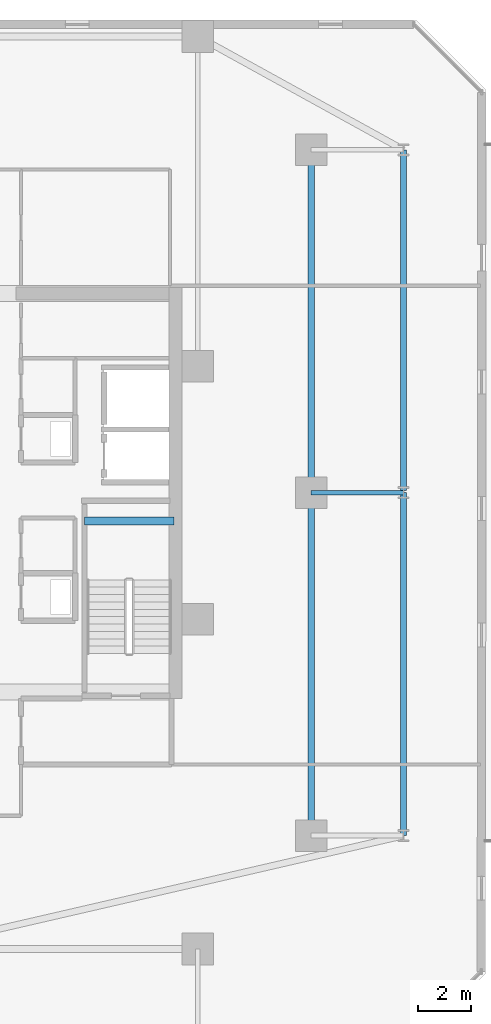
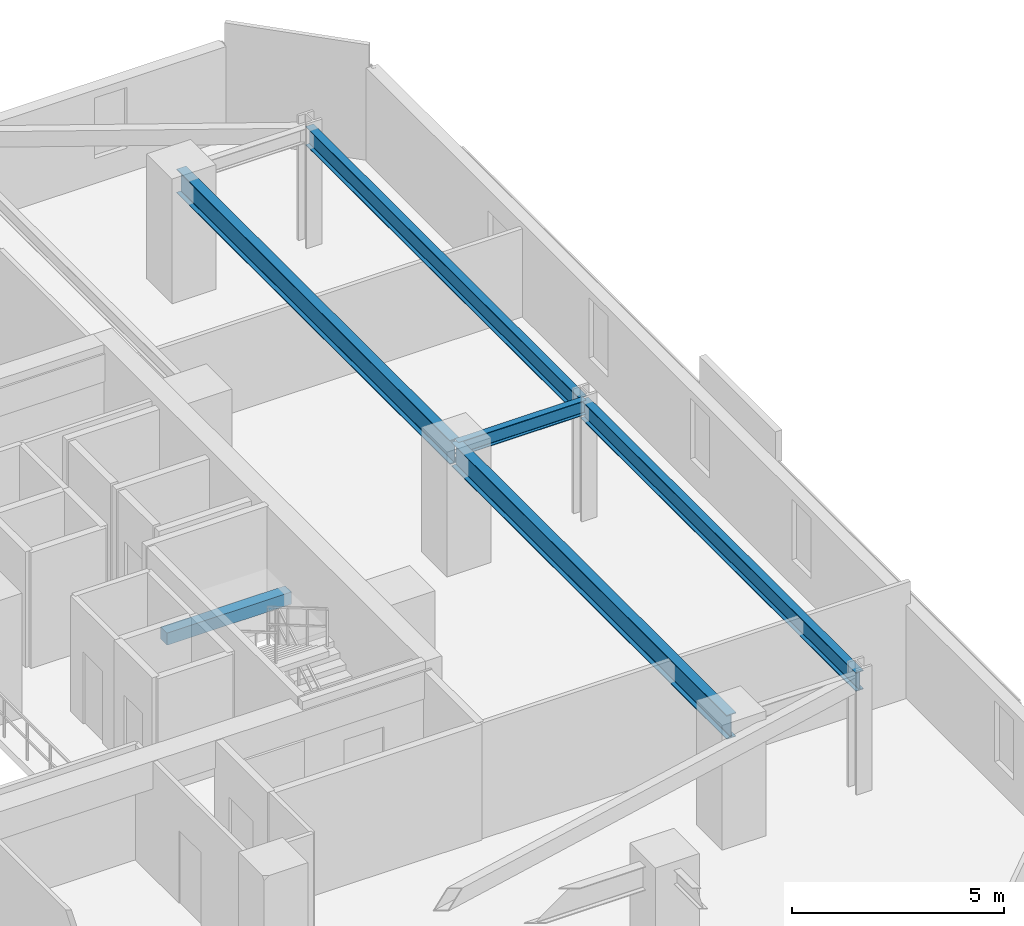
# One storey, part 13 of 31: 6 beams.
"""IFC4 building model written with IfcOpenShell, lengths in metres."""

from ifc_helpers import new_model, si_unit, direction, frame, origin, origin_2d, place, context, subcontext, project, spatial, rectangle, i_section, extrude, material, material_profile, profile_set, type_object, element, save


model = new_model("IFC4")

# Units and contexts
model_context = context("Model", 3, precision=1e-05, world=origin(), true_north=direction((0.0, 1.0)))
body_context = subcontext(model_context, "Body", "Model", "MODEL_VIEW")
ifc_project = project(units=[si_unit("LENGTHUNIT", "METRE"), si_unit("AREAUNIT", "SQUARE_METRE"), si_unit("VOLUMEUNIT", "CUBIC_METRE"), si_unit("PLANEANGLEUNIT", "RADIAN"), si_unit("MASSUNIT", "GRAM", prefix="KILO")], contexts=[model_context])

# Site, building, storey
site_placement = place(None, origin())
site = spatial("IfcSite", under=ifc_project, at=site_placement, CompositionType="ELEMENT")
building_placement = place(site_placement, origin())
building = spatial("IfcBuilding", under=site, at=building_placement, Name="Thornwick Lancets Civic Towers", CompositionType="ELEMENT")
storey_placement = place(building_placement, frame((0.0, 0.0, 126.89990234375)))
storey = spatial("IfcBuildingStorey", under=building, at=storey_placement, Name="L33", CompositionType="ELEMENT", Elevation=126.89990234375)

# Beams
ifc_material_1 = material(Name="Steel S355JR", Category="steel")
ifc_material_profile_1 = material_profile(ifc_material_1, i_section(OverallWidth=0.2119140625, OverallDepth=0.54443359375, WebThickness=0.0126953125, FlangeThickness=0.021240234375, FilletRadius=0.0126953125, at=origin_2d()), Name="UKB 533x210x122")
ifc_profile_set_1 = profile_set([ifc_material_profile_1], Name="Steel S355JR")
beam_type_1 = type_object("IfcBeamType", Name="BM_EDGE_533_122", PredefinedType="SPANDREL", material=ifc_profile_set_1)
beam_1_placement = place(storey_placement, frame((109.300048828125, 14.0, 3.087890625), z_axis=(0.0, 1.0, 0.0), x_axis=(-1.0, 0.0, 0.0)))
element("IfcBeam", 1, at=beam_1_placement, inside=storey, type_object=beam_type_1, Name="BM-EDGE-L33-B-S0-1", PredefinedType="SPANDREL", context=body_context, shape_type="SweptSolid", body=[
    extrude(i_section(OverallWidth=0.2119140625, OverallDepth=0.54443359375, WebThickness=0.0126953125, FlangeThickness=0.021240234375, FilletRadius=0.0126953125, at=origin_2d()), origin(), (0.0, 0.0, 1.0), 13.0),
])
beam_2_placement = place(storey_placement, frame((109.300048828125, 27.080078125, 3.087890625), z_axis=(0.0, 1.0, 0.0), x_axis=(-1.0, 0.0, 0.0)))
element("IfcBeam", 2, at=beam_2_placement, inside=storey, type_object=beam_type_1, Name="BM-EDGE-L33-B-S0-2", PredefinedType="SPANDREL", context=body_context, shape_type="SweptSolid", body=[
    extrude(i_section(OverallWidth=0.2119140625, OverallDepth=0.54443359375, WebThickness=0.0126953125, FlangeThickness=0.021240234375, FilletRadius=0.0126953125, at=origin_2d()), origin(), (0.0, 0.0, 1.0), 12.919921875),
])
ifc_material_profile_2 = material_profile(ifc_material_1, i_section(OverallWidth=0.255859375, OverallDepth=0.69287109375, WebThickness=0.014404296875, FlangeThickness=0.023681640625, FilletRadius=0.01513671875, at=origin_2d()), Name="UKB 686x254x170")
ifc_profile_set_2 = profile_set([ifc_material_profile_2], Name="Steel S355JR")
beam_type_2 = type_object("IfcBeamType", Name="BM_GIRD_686_170", PredefinedType="BEAM", material=ifc_profile_set_2)
beam_3_placement = place(storey_placement, frame((105.800048828125, 14.0, 3.013671875), z_axis=(0.0, 1.0, 0.0), x_axis=(-1.0, 0.0, 0.0)))
element("IfcBeam", 3, at=beam_3_placement, inside=storey, type_object=beam_type_2, Name="BM-SPINE-L33-B-0-1", PredefinedType="BEAM", context=body_context, shape_type="SweptSolid", body=[
    extrude(i_section(OverallWidth=0.255859375, OverallDepth=0.69287109375, WebThickness=0.014404296875, FlangeThickness=0.023681640625, FilletRadius=0.01513671875, at=origin_2d()), origin(), (0.0, 0.0, 1.0), 13.0),
])
beam_4_placement = place(storey_placement, frame((105.800048828125, 27.080078125, 3.013671875), z_axis=(0.0, 1.0, 0.0), x_axis=(-1.0, 0.0, 0.0)))
element("IfcBeam", 4, at=beam_4_placement, inside=storey, type_object=beam_type_2, Name="BM-SPINE-L33-B-1-2", PredefinedType="BEAM", context=body_context, shape_type="SweptSolid", body=[
    extrude(i_section(OverallWidth=0.255859375, OverallDepth=0.69287109375, WebThickness=0.014404296875, FlangeThickness=0.023681640625, FilletRadius=0.01513671875, at=origin_2d()), origin(), (0.0, 0.0, 1.0), 12.919921875),
])
ifc_material_profile_3 = material_profile(ifc_material_1, i_section(OverallWidth=0.179443359375, OverallDepth=0.412841796875, WebThickness=0.009521484375, FlangeThickness=0.01611328125, FilletRadius=0.01025390625, at=origin_2d()), Name="UKB 406x178x74")
ifc_profile_set_3 = profile_set([ifc_material_profile_3], Name="Steel S355JR")
beam_type_3 = type_object("IfcBeamType", Name="BM_JOIST_406_74", PredefinedType="JOIST", material=ifc_profile_set_3)
beam_5_placement = place(storey_placement, frame((105.800048828125, 27.0, 3.15380859375), z_axis=(1.0, 0.0, 0.0), x_axis=(0.0, 1.0, 0.0)))
element("IfcBeam", 5, at=beam_5_placement, inside=storey, type_object=beam_type_3, Name="BM-RAD-L33-B02", PredefinedType="JOIST", context=body_context, shape_type="SweptSolid", body=[
    extrude(i_section(OverallWidth=0.179443359375, OverallDepth=0.412841796875, WebThickness=0.009521484375, FlangeThickness=0.01611328125, FilletRadius=0.01025390625, at=origin_2d()), origin(), (0.0, 0.0, 1.0), 3.5),
])
ifc_material_2 = material(Name="Concrete C40/50", Category="concrete")
ifc_material_profile_4 = material_profile(ifc_material_2, rectangle(XDim=0.300048828125, YDim=0.35009765625, at=origin_2d()), Name="RC 300x350")
ifc_profile_set_4 = profile_set([ifc_material_profile_4], Name="Concrete C40/50")
beam_type_4 = type_object("IfcBeamType", Name="BM_STAIR_LDG", PredefinedType="BEAM", material=ifc_profile_set_4)
beam_6_placement = place(storey_placement, frame((100.60009765625, 25.93505859375, 1.378173828125), z_axis=(-1.0, 0.0, 0.0), x_axis=(0.0, -1.0, 0.0)))
element("IfcBeam", 6, at=beam_6_placement, inside=storey, type_object=beam_type_4, Name="L33 ST-B1 Landing Support Beam 1", PredefinedType="BEAM", context=body_context, shape_type="SweptSolid", body=[
    extrude(rectangle(XDim=0.300048828125, YDim=0.35009765625, at=origin_2d()), origin(), (0.0, 0.0, 1.0), 3.400146484375),
])

save(model, "model.ifc")
